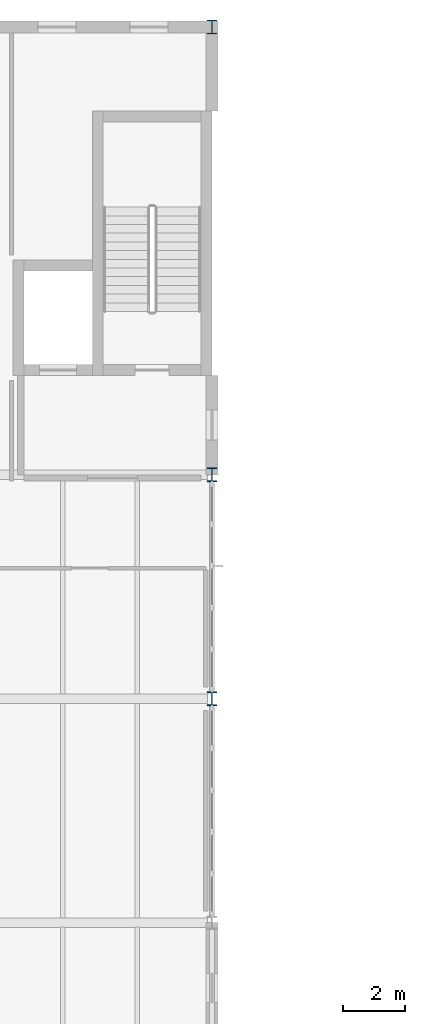
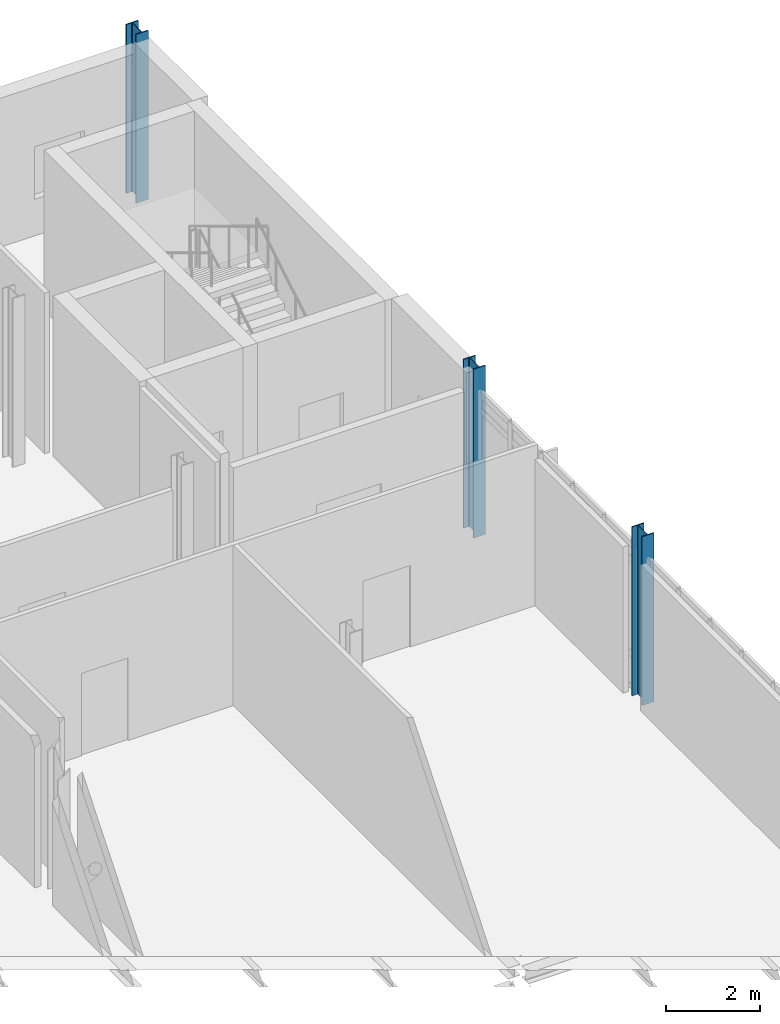
# One storey, part 11 of 76: 3 columns.
"""IFC4 building model written with IfcOpenShell, lengths in metres."""

from ifc_helpers import new_model, si_unit, direction, frame, origin, origin_2d, place, context, subcontext, project, spatial, i_section, extrude, material, material_profile, profile_set, type_object, element, save


model = new_model("IFC4")

# Units and contexts
model_context = context("Model", 3, precision=1e-05, world=origin(), true_north=direction((0.0, 1.0)))
body_context = subcontext(model_context, "Body", "Model", "MODEL_VIEW")
ifc_project = project(units=[si_unit("LENGTHUNIT", "METRE"), si_unit("AREAUNIT", "SQUARE_METRE"), si_unit("VOLUMEUNIT", "CUBIC_METRE"), si_unit("PLANEANGLEUNIT", "RADIAN"), si_unit("MASSUNIT", "GRAM", prefix="KILO")], contexts=[model_context])

# Site, building, storey
site_placement = place(None, origin())
site = spatial("IfcSite", under=ifc_project, at=site_placement, CompositionType="ELEMENT")
building_placement = place(site_placement, origin())
building = spatial("IfcBuilding", under=site, at=building_placement, Name="Zarrinpeak Specialist Clinic", CompositionType="ELEMENT")
storey_placement = place(building_placement, frame((0.0, 0.0, 5.199951171875)))
storey = spatial("IfcBuildingStorey", under=building, at=storey_placement, Name="L01", CompositionType="ELEMENT", Elevation=5.199951171875)

# Columns
ifc_material = material(Name="Steel S355", Category="steel")
ifc_material_profile = material_profile(ifc_material, i_section(OverallWidth=0.300048828125, OverallDepth=0.449951171875, WebThickness=0.013916015625, FlangeThickness=0.02587890625, FilletRadius=0.027099609375, at=origin_2d()), Name="HEB 450")
ifc_profile_set = profile_set([ifc_material_profile], Name="Steel S355")
column_type = type_object("IfcColumnType", Name="COL-HEB450", PredefinedType="COLUMN", material=ifc_profile_set)
for number, where, z_axis, x_axis, name in (
    (1, (64.800048828125, 96.39990234375, 0.0), (0.0, 0.0, 1.0), (1.0, 0.0, 0.0), "L01 Structural Column COL-L01-121"),
    (2, (64.800048828125, 103.60009765625, 0.0), (0.0, 0.0, 1.0), (1.0, 0.0, 0.0), "L01 Structural Column COL-L01-122"),
    (3, (64.800048828125, 118.0, 0.0), (0.0, 0.0, 1.0), (1.0, 0.0, 0.0), "L01 Structural Column COL-L01-123"),
):
    element("IfcColumn", number, at=place(storey_placement, frame(where, z_axis=z_axis, x_axis=x_axis)), inside=storey, type_object=column_type, Name=name, PredefinedType="COLUMN", context=body_context, shape_type="SweptSolid", body=[
        extrude(i_section(OverallWidth=0.300048828125, OverallDepth=0.449951171875, WebThickness=0.013916015625, FlangeThickness=0.02587890625, FilletRadius=0.027099609375, at=origin_2d()), origin(), (0.0, 0.0, 1.0), 4.400146484375),
    ])

save(model, "model.ifc")
